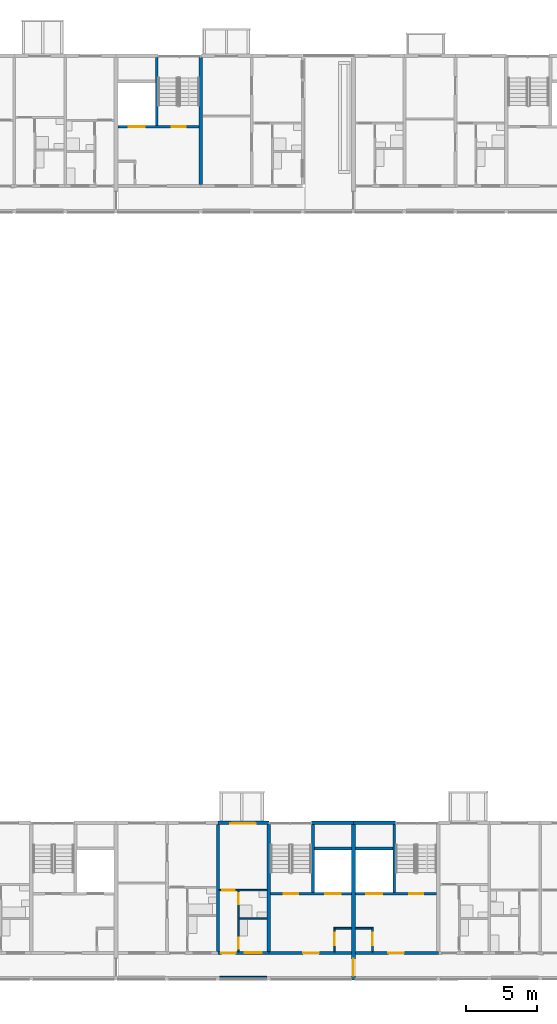
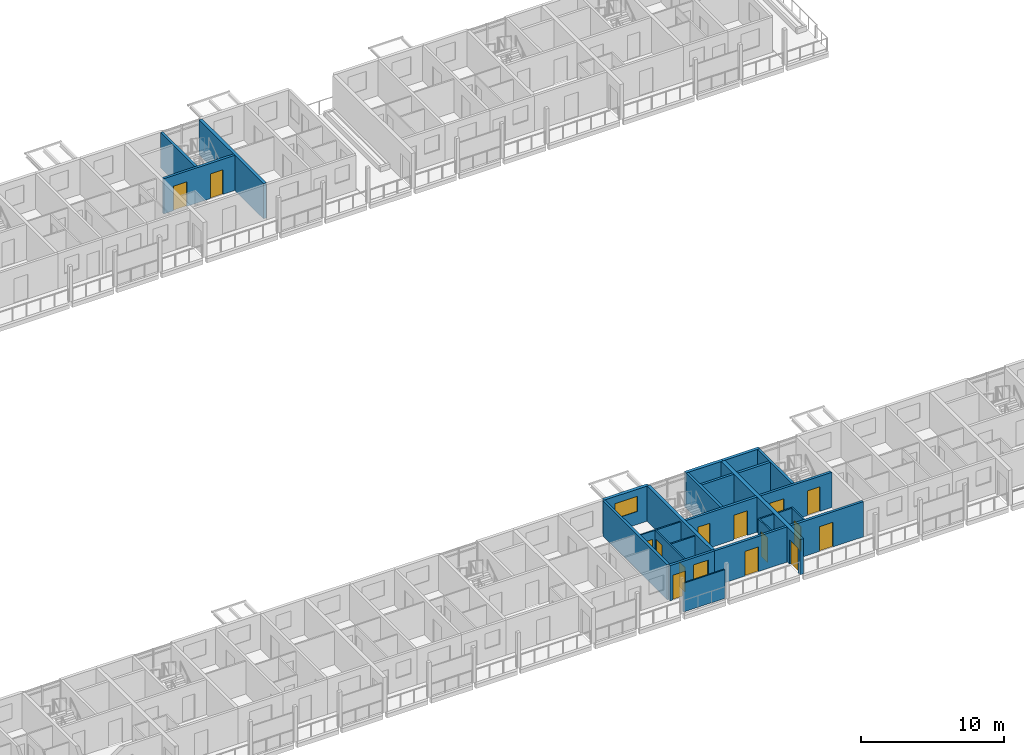
# One storey, part 51 of 94: 26 walls, 15 doors, 2 windows, 17 openings.
"""IFC4 building model written with IfcOpenShell, lengths in metres."""

from ifc_helpers import new_model, si_unit, direction, frame, frame_2d, origin, place, context, subcontext, project, spatial, rectangle, extrude, material, layer, layer_set, type_object, element, fill, save


model = new_model("IFC4")

# Units and contexts
model_context = context("Model", 3, precision=1e-05, world=origin(), true_north=direction((0.0, 1.0)))
body_context = subcontext(model_context, "Body", "Model", "MODEL_VIEW")
ifc_project = project(units=[si_unit("LENGTHUNIT", "METRE"), si_unit("AREAUNIT", "SQUARE_METRE"), si_unit("VOLUMEUNIT", "CUBIC_METRE"), si_unit("PLANEANGLEUNIT", "RADIAN"), si_unit("MASSUNIT", "GRAM", prefix="KILO")], contexts=[model_context])

# Site, building, storey
site_placement = place(None, origin())
site = spatial("IfcSite", under=ifc_project, at=site_placement, CompositionType="ELEMENT")
building_placement = place(site_placement, origin())
building = spatial("IfcBuilding", under=site, at=building_placement, Name="Ridgestep Commons", CompositionType="ELEMENT")
storey_placement = place(building_placement, frame((0.0, 0.0, 21.0)))
storey = spatial("IfcBuildingStorey", under=building, at=storey_placement, Name="L07", CompositionType="ELEMENT", Elevation=21.0)

# Walls
ifc_material_1 = material(Name="Concrete C30/37", Category="concrete")
ifc_layer_1 = layer(ifc_material_1, 0.25)
ifc_layer_set_1 = layer_set([ifc_layer_1], Name="Core cross wall 250")
wall_type_1 = type_object("IfcWallType", Name="Core cross wall 250", PredefinedType="SHEAR", material=ifc_layer_set_1)
for number, where, z_axis, x_axis, name in (
    (1, (203.199951171875, 68.0, 0.0), (0.0, 0.0, 1.0), (0.0, 1.0, 0.0), "Cross wall C-07-2032"),
    (2, (208.0, 13.75, 0.0), (0.0, 0.0, 1.0), (0.0, 1.0, 0.0), "Cross wall D-07-2080"),
):
    element("IfcWall", number, at=place(storey_placement, frame(where, z_axis=z_axis, x_axis=x_axis)), inside=storey, type_object=wall_type_1, Name=name, PredefinedType="SHEAR", context=body_context, shape_type="SweptSolid", body=[
        extrude(rectangle(XDim=9.0, YDim=0.25, at=frame_2d((4.5, 0.0))), origin(), (0.0, 0.0, 1.0), 3.0),
    ])

# Wall, opening, door
ifc_material_2 = material(Name="Concrete C30/37", Category="concrete")
ifc_layer_2 = layer(ifc_material_2, 0.199951171875)
ifc_layer_set_2 = layer_set([ifc_layer_2], Name="Core south wall 200")
wall_type_2 = type_object("IfcWallType", Name="Core south wall 200", PredefinedType="SHEAR", material=ifc_layer_set_2)
wall_1_placement = place(storey_placement, frame((208.0, 13.64990234375, 0.0), z_axis=(0.0, 0.0, 1.0), x_axis=(1.0, 0.0, 0.0)))
wall_1 = element("IfcWall", 3, at=wall_1_placement, inside=storey, type_object=wall_type_2, Name="Core south wall D4C L07", PredefinedType="SHEAR", context=body_context, shape_type="SweptSolid", body=[
    extrude(rectangle(XDim=5.85009765625, YDim=0.199951171875, at=frame_2d((2.925048828125, 0.0))), origin(), (0.0, 0.0, 1.0), 3.0),
])
opening_1_placement = place(wall_1_placement, frame((2.4375, 0.0, 0.0)))
opening_1 = element("IfcOpeningElement", 4, at=opening_1_placement, cuts=wall_1, Name="Opening D4C/07/1", PredefinedType="OPENING", context=body_context, shape_type="SweptSolid", body=[
    extrude(rectangle(XDim=1.10009765625, YDim=2.10009765625, at=frame_2d((0.550048828125, 1.050048828125))), frame((0.0, 0.10986328125, 0.0), z_axis=(0.0, -1.0, 0.0), x_axis=(1.0, 0.0, 0.0)), (0.0, 0.0, 1.0), 0.219970703125),
])
ifc_material_3 = material(Name="Steel fire door", Category="steel")
door_type_1 = type_object("IfcDoorType", Name="Lobby door 1100 x 2100 FD60", OperationType="NOTDEFINED", PredefinedType="DOOR", material=ifc_material_3)
door_1_placement = place(opening_1_placement, origin())
door_1 = element("IfcDoor", 5, at=door_1_placement, inside=storey, type_object=door_type_1, Name="Lobby door D4C/07/1", OperationType="SINGLE_SWING_LEFT", OverallHeight=2.10009765625, OverallWidth=1.10009765625, PredefinedType="DOOR", context=body_context, shape_type="SweptSolid", body=[
    extrude(rectangle(XDim=1.10009765625, YDim=2.10009765625, at=frame_2d((0.550048828125, 1.050048828125))), frame((0.0, 0.02490234375, 0.0), z_axis=(0.0, -1.0, 0.0), x_axis=(1.0, 0.0, 0.0)), (0.0, 0.0, 1.0), 0.050048828125),
])
fill(opening_1, door_1)

wall_2_placement = place(storey_placement, frame((214.14990234375, 13.64990234375, 0.0), z_axis=(0.0, 0.0, 1.0), x_axis=(1.0, 0.0, 0.0)))
wall_2 = element("IfcWall", 6, at=wall_2_placement, inside=storey, type_object=wall_type_2, Name="Core south wall D5C L07", PredefinedType="SHEAR", context=body_context, shape_type="SweptSolid", body=[
    extrude(rectangle(XDim=5.85009765625, YDim=0.199951171875, at=frame_2d((2.925048828125, 0.0))), origin(), (0.0, 0.0, 1.0), 3.0),
])
opening_2_placement = place(wall_2_placement, frame((2.3125, 0.0, 0.0)))
opening_2 = element("IfcOpeningElement", 7, at=opening_2_placement, cuts=wall_2, Name="Opening D5C/07/1", PredefinedType="OPENING", context=body_context, shape_type="SweptSolid", body=[
    extrude(rectangle(XDim=1.10009765625, YDim=2.10009765625, at=frame_2d((0.550048828125, 1.050048828125))), frame((0.0, 0.10986328125, 0.0), z_axis=(0.0, -1.0, 0.0), x_axis=(1.0, 0.0, 0.0)), (0.0, 0.0, 1.0), 0.219970703125),
])
door_2_placement = place(opening_2_placement, origin())
door_2 = element("IfcDoor", 8, at=door_2_placement, inside=storey, type_object=door_type_1, Name="Lobby door D5C/07/1", OperationType="SINGLE_SWING_LEFT", OverallHeight=2.10009765625, OverallWidth=1.10009765625, PredefinedType="DOOR", context=body_context, shape_type="SweptSolid", body=[
    extrude(rectangle(XDim=1.10009765625, YDim=2.10009765625, at=frame_2d((0.550048828125, 1.050048828125))), frame((0.0, 0.02490234375, 0.0), z_axis=(0.0, -1.0, 0.0), x_axis=(1.0, 0.0, 0.0)), (0.0, 0.0, 1.0), 0.050048828125),
])
fill(opening_2, door_2)

ifc_material_4 = material(Name="Concrete C30/37", Category="concrete")
ifc_layer_3 = layer(ifc_material_4, 0.1201171875)
ifc_layer_set_3 = layer_set([ifc_layer_3], Name="Core wall 120")
wall_type_3 = type_object("IfcWallType", Name="Core wall 120", PredefinedType="SHEAR", material=ifc_layer_set_3)
wall_3_placement = place(storey_placement, frame((212.659912109375, 13.75, 0.0), z_axis=(0.0, 0.0, 1.0), x_axis=(0.0, 1.0, 0.0)))
wall_3 = element("IfcWall", 9, at=wall_3_placement, inside=storey, type_object=wall_type_3, Name="Core riser w wall D4C L07", PredefinedType="SHEAR", context=body_context, shape_type="SweptSolid", body=[
    extrude(rectangle(XDim=1.719970703125, YDim=0.1201171875, at=frame_2d((0.85986328125, 0.0))), origin(), (0.0, 0.0, 1.0), 3.0),
])
opening_3_placement = place(wall_3_placement, frame((0.449951171875, 0.0, 0.0)))
opening_3 = element("IfcOpeningElement", 10, at=opening_3_placement, cuts=wall_3, Name="Opening D4C/07/4", PredefinedType="OPENING", context=body_context, shape_type="SweptSolid", body=[
    extrude(rectangle(XDim=0.89990234375, YDim=2.10009765625, at=frame_2d((0.449951171875, 1.050048828125))), frame((0.0, 0.070068359375, 0.0), z_axis=(0.0, -1.0, 0.0), x_axis=(1.0, 0.0, 0.0)), (0.0, 0.0, 1.0), 0.14013671875),
])
ifc_material_5 = material(Name="Steel fire door", Category="steel")
door_type_2 = type_object("IfcDoorType", Name="Riser door 900 x 2100 FD60", OperationType="NOTDEFINED", PredefinedType="DOOR", material=ifc_material_5)
door_3_placement = place(opening_3_placement, origin())
door_3 = element("IfcDoor", 11, at=door_3_placement, inside=storey, type_object=door_type_2, Name="Riser door D4C/07/4", OperationType="SINGLE_SWING_LEFT", OverallHeight=2.10009765625, OverallWidth=0.89990234375, PredefinedType="DOOR", context=body_context, shape_type="SweptSolid", body=[
    extrude(rectangle(XDim=0.89990234375, YDim=2.10009765625, at=frame_2d((0.449951171875, 1.050048828125))), frame((0.0, 0.02490234375, 0.0), z_axis=(0.0, -1.0, 0.0), x_axis=(1.0, 0.0, 0.0)), (0.0, 0.0, 1.0), 0.050048828125),
])
fill(opening_3, door_3)

# Wall
wall_4_placement = place(storey_placement, frame((212.719970703125, 15.409912109375, 0.0), z_axis=(0.0, 0.0, 1.0), x_axis=(1.0, 0.0, 0.0)))
element("IfcWall", 12, at=wall_4_placement, inside=storey, type_object=wall_type_3, Name="Core riser n wall D4C L07", PredefinedType="SHEAR", context=body_context, shape_type="SweptSolid", body=[
    extrude(rectangle(XDim=1.130126953125, YDim=0.1201171875, at=frame_2d((0.56494140625, 0.0))), origin(), (0.0, 0.0, 1.0), 3.0),
])

# Wall, opening, door
wall_5_placement = place(storey_placement, frame((215.340087890625, 13.75, 0.0), z_axis=(0.0, 0.0, 1.0), x_axis=(0.0, 1.0, 0.0)))
wall_5 = element("IfcWall", 13, at=wall_5_placement, inside=storey, type_object=wall_type_3, Name="Core riser w wall D5C L07", PredefinedType="SHEAR", context=body_context, shape_type="SweptSolid", body=[
    extrude(rectangle(XDim=1.719970703125, YDim=0.1201171875, at=frame_2d((0.85986328125, 0.0))), origin(), (0.0, 0.0, 1.0), 3.0),
])
opening_4_placement = place(wall_5_placement, frame((0.449951171875, 0.0, 0.0)))
opening_4 = element("IfcOpeningElement", 14, at=opening_4_placement, cuts=wall_5, Name="Opening D5C/07/4", PredefinedType="OPENING", context=body_context, shape_type="SweptSolid", body=[
    extrude(rectangle(XDim=0.89990234375, YDim=2.10009765625, at=frame_2d((0.449951171875, 1.050048828125))), frame((0.0, 0.070068359375, 0.0), z_axis=(0.0, -1.0, 0.0), x_axis=(1.0, 0.0, 0.0)), (0.0, 0.0, 1.0), 0.14013671875),
])
door_4_placement = place(opening_4_placement, origin())
door_4 = element("IfcDoor", 15, at=door_4_placement, inside=storey, type_object=door_type_2, Name="Riser door D5C/07/4", OperationType="SINGLE_SWING_RIGHT", OverallHeight=2.10009765625, OverallWidth=0.89990234375, PredefinedType="DOOR", context=body_context, shape_type="SweptSolid", body=[
    extrude(rectangle(XDim=0.89990234375, YDim=2.10009765625, at=frame_2d((0.449951171875, 1.050048828125))), frame((0.0, 0.02490234375, 0.0), z_axis=(0.0, -1.0, 0.0), x_axis=(1.0, 0.0, 0.0)), (0.0, 0.0, 1.0), 0.050048828125),
])
fill(opening_4, door_4)

# Wall
wall_6_placement = place(storey_placement, frame((214.14990234375, 15.409912109375, 0.0), z_axis=(0.0, 0.0, 1.0), x_axis=(1.0, 0.0, 0.0)))
element("IfcWall", 16, at=wall_6_placement, inside=storey, type_object=wall_type_3, Name="Core riser n wall D5C L07", PredefinedType="SHEAR", context=body_context, shape_type="SweptSolid", body=[
    extrude(rectangle(XDim=1.130126953125, YDim=0.1201171875, at=frame_2d((0.56494140625, 0.0))), origin(), (0.0, 0.0, 1.0), 3.0),
])

# Wall, openings, doors
ifc_material_6 = material(Name="Concrete C30/37", Category="concrete")
ifc_layer_4 = layer(ifc_material_6, 0.199951171875)
ifc_layer_set_4 = layer_set([ifc_layer_4], Name="Core wall 200")
wall_type_4 = type_object("IfcWallType", Name="Core wall 200", PredefinedType="SHEAR", material=ifc_layer_set_4)
wall_7_placement = place(storey_placement, frame((197.35009765625, 72.10009765625, 0.0), z_axis=(0.0, 0.0, 1.0), x_axis=(1.0, 0.0, 0.0)))
wall_7 = element("IfcWall", 17, at=wall_7_placement, inside=storey, type_object=wall_type_4, Name="Core lobby wall C4C L07", PredefinedType="SHEAR", context=body_context, shape_type="SweptSolid", body=[
    extrude(rectangle(XDim=5.724853515625, YDim=0.199951171875, at=frame_2d((2.8623046875, 0.0))), origin(), (0.0, 0.0, 1.0), 3.0),
])
opening_5_placement = place(wall_7_placement, frame((3.77490234375, 0.0, 0.0)))
opening_5 = element("IfcOpeningElement", 18, at=opening_5_placement, cuts=wall_7, Name="Opening C4C/07/2", PredefinedType="OPENING", context=body_context, shape_type="SweptSolid", body=[
    extrude(rectangle(XDim=1.0, YDim=2.10009765625, at=frame_2d((0.5, 1.050048828125))), frame((0.0, 0.10986328125, 0.0), z_axis=(0.0, -1.0, 0.0), x_axis=(1.0, 0.0, 0.0)), (0.0, 0.0, 1.0), 0.219970703125),
])
opening_6_placement = place(wall_7_placement, frame((0.762451171875, 0.0, 0.0)))
opening_6 = element("IfcOpeningElement", 19, at=opening_6_placement, cuts=wall_7, Name="Opening C4C/07/3", PredefinedType="OPENING", context=body_context, shape_type="SweptSolid", body=[
    extrude(rectangle(XDim=1.10009765625, YDim=2.10009765625, at=frame_2d((0.550048828125, 1.050048828125))), frame((0.0, 0.10986328125, 0.0), z_axis=(0.0, -1.0, 0.0), x_axis=(1.0, 0.0, 0.0)), (0.0, 0.0, 1.0), 0.219970703125),
])
ifc_material_7 = material(Name="Stainless steel", Category="steel")
door_type_3 = type_object("IfcDoorType", Name="Lift landing door 1100 x 2100 FD60", OperationType="DOUBLE_DOOR_SLIDING", PredefinedType="DOOR", material=ifc_material_7)
door_5_placement = place(opening_6_placement, origin())
door_5 = element("IfcDoor", 20, at=door_5_placement, inside=storey, type_object=door_type_3, Name="Landing door LD C4C L07", OperationType="DOUBLE_DOOR_SLIDING", OverallHeight=2.10009765625, OverallWidth=1.10009765625, PredefinedType="DOOR", context=body_context, shape_type="SweptSolid", body=[
    extrude(rectangle(XDim=1.10009765625, YDim=2.10009765625, at=frame_2d((0.550048828125, 1.050048828125))), frame((0.0, 0.02490234375, 0.0), z_axis=(0.0, -1.0, 0.0), x_axis=(1.0, 0.0, 0.0)), (0.0, 0.0, 1.0), 0.050048828125),
])
fill(opening_6, door_5)
ifc_material_8 = material(Name="Steel fire door", Category="steel")
door_type_4 = type_object("IfcDoorType", Name="Stair door 1000 x 2100 FD60", OperationType="NOTDEFINED", PredefinedType="DOOR", material=ifc_material_8)
door_6_placement = place(opening_5_placement, origin())
door_6 = element("IfcDoor", 21, at=door_6_placement, inside=storey, type_object=door_type_4, Name="Stair door C4C/07/2", OperationType="SINGLE_SWING_RIGHT", OverallHeight=2.10009765625, OverallWidth=1.0, PredefinedType="DOOR", context=body_context, shape_type="SweptSolid", body=[
    extrude(rectangle(XDim=1.0, YDim=2.10009765625, at=frame_2d((0.5, 1.050048828125))), frame((0.0, 0.02490234375, 0.0), z_axis=(0.0, -1.0, 0.0), x_axis=(1.0, 0.0, 0.0)), (0.0, 0.0, 1.0), 0.050048828125),
])
fill(opening_5, door_6)

# Wall
wall_8_placement = place(storey_placement, frame((200.074951171875, 72.199951171875, 0.0), z_axis=(0.0, 0.0, 1.0), x_axis=(0.0, 1.0, 0.0)))
element("IfcWall", 22, at=wall_8_placement, inside=storey, type_object=wall_type_4, Name="Core stair wall C4C L07", PredefinedType="SHEAR", context=body_context, shape_type="SweptSolid", body=[
    extrude(rectangle(XDim=4.800048828125, YDim=0.199951171875, at=frame_2d((2.39990234375, 0.0))), origin(), (0.0, 0.0, 1.0), 3.0),
])

# Wall, openings, doors
wall_9_placement = place(storey_placement, frame((208.125, 17.85009765625, 0.0), z_axis=(0.0, 0.0, 1.0), x_axis=(1.0, 0.0, 0.0)))
wall_9 = element("IfcWall", 23, at=wall_9_placement, inside=storey, type_object=wall_type_4, Name="Core lobby wall D4C L07", PredefinedType="SHEAR", context=body_context, shape_type="SweptSolid", body=[
    extrude(rectangle(XDim=5.72509765625, YDim=0.199951171875, at=frame_2d((2.862548828125, 0.0))), origin(), (0.0, 0.0, 1.0), 3.0),
])
opening_7_placement = place(wall_9_placement, frame((0.949951171875, 0.0, 0.0)))
opening_7 = element("IfcOpeningElement", 24, at=opening_7_placement, cuts=wall_9, Name="Opening D4C/07/2", PredefinedType="OPENING", context=body_context, shape_type="SweptSolid", body=[
    extrude(rectangle(XDim=1.0, YDim=2.10009765625, at=frame_2d((0.5, 1.050048828125))), frame((0.0, 0.10986328125, 0.0), z_axis=(0.0, -1.0, 0.0), x_axis=(1.0, 0.0, 0.0)), (0.0, 0.0, 1.0), 0.219970703125),
])
opening_8_placement = place(wall_9_placement, frame((3.862548828125, 0.0, 0.0)))
opening_8 = element("IfcOpeningElement", 25, at=opening_8_placement, cuts=wall_9, Name="Opening D4C/07/3", PredefinedType="OPENING", context=body_context, shape_type="SweptSolid", body=[
    extrude(rectangle(XDim=1.10009765625, YDim=2.10009765625, at=frame_2d((0.550048828125, 1.050048828125))), frame((0.0, 0.10986328125, 0.0), z_axis=(0.0, -1.0, 0.0), x_axis=(1.0, 0.0, 0.0)), (0.0, 0.0, 1.0), 0.219970703125),
])
door_7_placement = place(opening_8_placement, origin())
door_7 = element("IfcDoor", 26, at=door_7_placement, inside=storey, type_object=door_type_3, Name="Landing door LD D4C L07", OperationType="DOUBLE_DOOR_SLIDING", OverallHeight=2.10009765625, OverallWidth=1.10009765625, PredefinedType="DOOR", context=body_context, shape_type="SweptSolid", body=[
    extrude(rectangle(XDim=1.10009765625, YDim=2.10009765625, at=frame_2d((0.550048828125, 1.050048828125))), frame((0.0, 0.02490234375, 0.0), z_axis=(0.0, -1.0, 0.0), x_axis=(1.0, 0.0, 0.0)), (0.0, 0.0, 1.0), 0.050048828125),
])
fill(opening_8, door_7)
door_8_placement = place(opening_7_placement, origin())
door_8 = element("IfcDoor", 27, at=door_8_placement, inside=storey, type_object=door_type_4, Name="Stair door D4C/07/2", OperationType="SINGLE_SWING_RIGHT", OverallHeight=2.10009765625, OverallWidth=1.0, PredefinedType="DOOR", context=body_context, shape_type="SweptSolid", body=[
    extrude(rectangle(XDim=1.0, YDim=2.10009765625, at=frame_2d((0.5, 1.050048828125))), frame((0.0, 0.02490234375, 0.0), z_axis=(0.0, -1.0, 0.0), x_axis=(1.0, 0.0, 0.0)), (0.0, 0.0, 1.0), 0.050048828125),
])
fill(opening_7, door_8)

# Walls
wall_10_placement = place(storey_placement, frame((211.125, 17.949951171875, 0.0), z_axis=(0.0, 0.0, 1.0), x_axis=(0.0, 1.0, 0.0)))
element("IfcWall", 28, at=wall_10_placement, inside=storey, type_object=wall_type_4, Name="Core stair wall D4C L07", PredefinedType="SHEAR", context=body_context, shape_type="SweptSolid", body=[
    extrude(rectangle(XDim=4.800048828125, YDim=0.199951171875, at=frame_2d((2.39990234375, 0.0))), origin(), (0.0, 0.0, 1.0), 3.0),
])
wall_11_placement = place(storey_placement, frame((211.22509765625, 21.050048828125, 0.0), z_axis=(0.0, 0.0, 1.0), x_axis=(1.0, 0.0, 0.0)))
element("IfcWall", 29, at=wall_11_placement, inside=storey, type_object=wall_type_4, Name="Core duct wall D4C L07", PredefinedType="SHEAR", context=body_context, shape_type="SweptSolid", body=[
    extrude(rectangle(XDim=2.625, YDim=0.199951171875, at=frame_2d((1.3125, 0.0))), origin(), (0.0, 0.0, 1.0), 3.0),
])

# Wall, openings, doors
wall_12_placement = place(storey_placement, frame((214.14990234375, 17.85009765625, 0.0), z_axis=(0.0, 0.0, 1.0), x_axis=(1.0, 0.0, 0.0)))
wall_12 = element("IfcWall", 30, at=wall_12_placement, inside=storey, type_object=wall_type_4, Name="Core lobby wall D5C L07", PredefinedType="SHEAR", context=body_context, shape_type="SweptSolid", body=[
    extrude(rectangle(XDim=5.72509765625, YDim=0.199951171875, at=frame_2d((2.862548828125, 0.0))), origin(), (0.0, 0.0, 1.0), 3.0),
])
opening_9_placement = place(wall_12_placement, frame((3.77490234375, 0.0, 0.0)))
opening_9 = element("IfcOpeningElement", 31, at=opening_9_placement, cuts=wall_12, Name="Opening D5C/07/2", PredefinedType="OPENING", context=body_context, shape_type="SweptSolid", body=[
    extrude(rectangle(XDim=1.0, YDim=2.10009765625, at=frame_2d((0.5, 1.050048828125))), frame((0.0, 0.10986328125, 0.0), z_axis=(0.0, -1.0, 0.0), x_axis=(1.0, 0.0, 0.0)), (0.0, 0.0, 1.0), 0.219970703125),
])
opening_10_placement = place(wall_12_placement, frame((0.762451171875, 0.0, 0.0)))
opening_10 = element("IfcOpeningElement", 32, at=opening_10_placement, cuts=wall_12, Name="Opening D5C/07/3", PredefinedType="OPENING", context=body_context, shape_type="SweptSolid", body=[
    extrude(rectangle(XDim=1.10009765625, YDim=2.10009765625, at=frame_2d((0.550048828125, 1.050048828125))), frame((0.0, 0.10986328125, 0.0), z_axis=(0.0, -1.0, 0.0), x_axis=(1.0, 0.0, 0.0)), (0.0, 0.0, 1.0), 0.219970703125),
])
door_9_placement = place(opening_10_placement, origin())
door_9 = element("IfcDoor", 33, at=door_9_placement, inside=storey, type_object=door_type_3, Name="Landing door LD D5C L07", OperationType="DOUBLE_DOOR_SLIDING", OverallHeight=2.10009765625, OverallWidth=1.10009765625, PredefinedType="DOOR", context=body_context, shape_type="SweptSolid", body=[
    extrude(rectangle(XDim=1.10009765625, YDim=2.10009765625, at=frame_2d((0.550048828125, 1.050048828125))), frame((0.0, 0.02490234375, 0.0), z_axis=(0.0, -1.0, 0.0), x_axis=(1.0, 0.0, 0.0)), (0.0, 0.0, 1.0), 0.050048828125),
])
fill(opening_10, door_9)
door_10_placement = place(opening_9_placement, origin())
door_10 = element("IfcDoor", 34, at=door_10_placement, inside=storey, type_object=door_type_4, Name="Stair door D5C/07/2", OperationType="SINGLE_SWING_RIGHT", OverallHeight=2.10009765625, OverallWidth=1.0, PredefinedType="DOOR", context=body_context, shape_type="SweptSolid", body=[
    extrude(rectangle(XDim=1.0, YDim=2.10009765625, at=frame_2d((0.5, 1.050048828125))), frame((0.0, 0.02490234375, 0.0), z_axis=(0.0, -1.0, 0.0), x_axis=(1.0, 0.0, 0.0)), (0.0, 0.0, 1.0), 0.050048828125),
])
fill(opening_9, door_10)

# Walls
wall_13_placement = place(storey_placement, frame((216.875, 17.949951171875, 0.0), z_axis=(0.0, 0.0, 1.0), x_axis=(0.0, 1.0, 0.0)))
element("IfcWall", 35, at=wall_13_placement, inside=storey, type_object=wall_type_4, Name="Core stair wall D5C L07", PredefinedType="SHEAR", context=body_context, shape_type="SweptSolid", body=[
    extrude(rectangle(XDim=4.800048828125, YDim=0.199951171875, at=frame_2d((2.39990234375, 0.0))), origin(), (0.0, 0.0, 1.0), 3.0),
])
wall_14_placement = place(storey_placement, frame((214.14990234375, 21.050048828125, 0.0), z_axis=(0.0, 0.0, 1.0), x_axis=(1.0, 0.0, 0.0)))
element("IfcWall", 36, at=wall_14_placement, inside=storey, type_object=wall_type_4, Name="Core duct wall D5C L07", PredefinedType="SHEAR", context=body_context, shape_type="SweptSolid", body=[
    extrude(rectangle(XDim=2.625, YDim=0.199951171875, at=frame_2d((1.3125, 0.0))), origin(), (0.0, 0.0, 1.0), 3.0),
])
ifc_material_9 = material(Name="Precast concrete C40/50", Category="concrete")
ifc_layer_5 = layer(ifc_material_9, 0.199951171875)
ifc_layer_set_5 = layer_set([ifc_layer_5], Name="Cross wall 200")
wall_type_5 = type_object("IfcWallType", Name="Cross wall 200", PredefinedType="SHEAR", material=ifc_layer_set_5)
wall_15_placement = place(storey_placement, frame((204.39990234375, 13.75, 0.0), z_axis=(0.0, 0.0, 1.0), x_axis=(0.0, 1.0, 0.0)))
element("IfcWall", 37, at=wall_15_placement, inside=storey, type_object=wall_type_5, Name="Cross wall D-07-2044", PredefinedType="SHEAR", context=body_context, shape_type="SweptSolid", body=[
    extrude(rectangle(XDim=9.0, YDim=0.199951171875, at=frame_2d((4.5, 0.0))), origin(), (0.0, 0.0, 1.0), 3.0),
])

# Wall, opening, door
ifc_material_10 = material(Name="Precast concrete C40/50", Category="concrete")
ifc_layer_6 = layer(ifc_material_10, 0.300048828125)
ifc_layer_set_6 = layer_set([ifc_layer_6], Name="Division wall 300")
wall_type_6 = type_object("IfcWallType", Name="Division wall 300", PredefinedType="SHEAR", material=ifc_layer_set_6)
wall_16_placement = place(storey_placement, frame((214.0, 11.75, 0.0), z_axis=(0.0, 0.0, 1.0), x_axis=(0.0, 1.0, 0.0)))
wall_16 = element("IfcWall", 38, at=wall_16_placement, inside=storey, type_object=wall_type_6, Name="Cross wall D-07-2140", PredefinedType="SHEAR", context=body_context, shape_type="SweptSolid", body=[
    extrude(rectangle(XDim=11.0, YDim=0.300048828125, at=frame_2d((5.5, 0.0))), origin(), (0.0, 0.0, 1.0), 3.0),
])
opening_11_placement = place(wall_16_placement, frame((0.300048828125, 0.0, 0.0)))
opening_11 = element("IfcOpeningElement", 39, at=opening_11_placement, cuts=wall_16, Name="Opening D/07/G2140", PredefinedType="OPENING", context=body_context, shape_type="SweptSolid", body=[
    extrude(rectangle(XDim=1.199951171875, YDim=2.10009765625, at=frame_2d((0.60009765625, 1.050048828125))), frame((0.0, 0.159912109375, 0.0), z_axis=(0.0, -1.0, 0.0), x_axis=(1.0, 0.0, 0.0)), (0.0, 0.0, 1.0), 0.320068359375),
])
ifc_material_11 = material(Name="Steel fire door", Category="steel")
door_type_5 = type_object("IfcDoorType", Name="Division fire door 1200 x 2100 EI 240", OperationType="DOUBLE_DOOR_SINGLE_SWING", PredefinedType="DOOR", material=ifc_material_11)
door_11_placement = place(opening_11_placement, origin())
door_11 = element("IfcDoor", 40, at=door_11_placement, inside=storey, type_object=door_type_5, Name="Division fire door D/07/G2140", OperationType="DOUBLE_DOOR_SINGLE_SWING", OverallHeight=2.10009765625, OverallWidth=1.199951171875, PredefinedType="DOOR", context=body_context, shape_type="SweptSolid", body=[
    extrude(rectangle(XDim=1.199951171875, YDim=2.10009765625, at=frame_2d((0.60009765625, 1.050048828125))), frame((0.0, 0.02490234375, 0.0), z_axis=(0.0, -1.0, 0.0), x_axis=(1.0, 0.0, 0.0)), (0.0, 0.0, 1.0), 0.050048828125),
])
fill(opening_11, door_11)

# Wall, opening, window
ifc_material_12 = material(Name="Precast concrete C40/50", Category="concrete")
ifc_layer_7 = layer(ifc_material_12, 0.25)
ifc_layer_set_7 = layer_set([ifc_layer_7], Name="North facade panel 250")
wall_type_7 = type_object("IfcWallType", Name="North facade panel 250", PredefinedType="SOLIDWALL", material=ifc_layer_set_7)
wall_17_placement = place(storey_placement, frame((204.39990234375, 22.875, 0.0), z_axis=(0.0, 0.0, 1.0), x_axis=(1.0, 0.0, 0.0)))
wall_17 = element("IfcWall", 41, at=wall_17_placement, inside=storey, type_object=wall_type_7, Name="North panel D4T3 L07", PredefinedType="SOLIDWALL", context=body_context, shape_type="SweptSolid", body=[
    extrude(rectangle(XDim=3.60009765625, YDim=0.25, at=frame_2d((1.800048828125, 0.0))), origin(), (0.0, 0.0, 1.0), 3.0),
])
opening_12_placement = place(wall_17_placement, frame((0.887451171875, 0.0, 1.10009765625)))
opening_12 = element("IfcOpeningElement", 42, at=opening_12_placement, cuts=wall_17, Name="Opening W18", PredefinedType="OPENING", context=body_context, shape_type="SweptSolid", body=[
    extrude(rectangle(XDim=1.800048828125, YDim=1.300048828125, at=frame_2d((0.89990234375, 0.64990234375))), frame((0.0, 0.135009765625, 0.0), z_axis=(0.0, -1.0, 0.0), x_axis=(1.0, 0.0, 0.0)), (0.0, 0.0, 1.0), 0.27001953125),
])
ifc_material_13 = material(Name="Aluminium 6063-T6 and glass", Category="aluminium")
window_type_1 = type_object("IfcWindowType", Name="Flat window 1800 x 1300", PartitioningType="DOUBLE_PANEL_VERTICAL", PredefinedType="WINDOW", material=ifc_material_13)
window_1_placement = place(opening_12_placement, origin())
window_1 = element("IfcWindow", 43, at=window_1_placement, inside=storey, type_object=window_type_1, Name="Window D4-07b 2", OverallHeight=1.300048828125, OverallWidth=1.800048828125, PartitioningType="SINGLE_PANEL", PredefinedType="WINDOW", context=body_context, shape_type="SweptSolid", body=[
    extrude(rectangle(XDim=1.800048828125, YDim=1.300048828125, at=frame_2d((0.89990234375, 0.64990234375))), frame((0.0, -0.02490234375, 0.0), z_axis=(0.0, -1.0, 0.0), x_axis=(1.0, 0.0, 0.0)), (0.0, 0.0, 1.0), 0.06005859375),
])
fill(opening_12, window_1)

# Walls
for number, where, z_axis, x_axis, name in (
    (44, (211.02490234375, 22.875, 0.0), (0.0, 0.0, 1.0), (1.0, 0.0, 0.0), "North panel D4C L07"),
    (45, (214.0, 22.875, 0.0), (0.0, 0.0, 1.0), (1.0, 0.0, 0.0), "North panel D5C L07"),
):
    element("IfcWall", number, at=place(storey_placement, frame(where, z_axis=z_axis, x_axis=x_axis)), inside=storey, type_object=wall_type_7, Name=name, PredefinedType="SOLIDWALL", context=body_context, shape_type="SweptSolid", body=[
        extrude(rectangle(XDim=2.97509765625, YDim=0.25, at=frame_2d((1.487548828125, 0.0))), origin(), (0.0, 0.0, 1.0), 3.0),
    ])

# Wall, openings, doors
ifc_material_14 = material(Name="Common brick 110 mm", Category="masonry")
ifc_layer_8 = layer(ifc_material_14, 0.110107421875)
ifc_layer_set_8 = layer_set([ifc_layer_8], Name="Partition 110")
wall_type_8 = type_object("IfcWallType", Name="Partition 110", PredefinedType="PARTITIONING", material=ifc_layer_set_8)
wall_18_placement = place(storey_placement, frame((205.85498046875, 13.75, 0.0), z_axis=(0.0, 0.0, 1.0), x_axis=(0.0, 1.0, 0.0)))
wall_18 = element("IfcWall", 46, at=wall_18_placement, inside=storey, type_object=wall_type_8, Name="Partition D4-07b", PredefinedType="PARTITIONING", context=body_context, shape_type="SweptSolid", body=[
    extrude(rectangle(XDim=4.300048828125, YDim=0.110107421875, at=frame_2d((2.14990234375, 0.0))), origin(), (0.0, 0.0, 1.0), 2.800048828125),
])
opening_13_placement = place(wall_18_placement, frame((0.199951171875, 0.0, 0.0)))
opening_13 = element("IfcOpeningElement", 47, at=opening_13_placement, cuts=wall_18, Name="Opening D4-07b/2", PredefinedType="OPENING", context=body_context, shape_type="SweptSolid", body=[
    extrude(rectangle(XDim=0.800048828125, YDim=2.10009765625, at=frame_2d((0.39990234375, 1.050048828125))), frame((0.0, 0.06494140625, 0.0), z_axis=(0.0, -1.0, 0.0), x_axis=(1.0, 0.0, 0.0)), (0.0, 0.0, 1.0), 0.130126953125),
])
opening_14_placement = place(wall_18_placement, frame((3.35009765625, 0.0, 0.0)))
opening_14 = element("IfcOpeningElement", 48, at=opening_14_placement, cuts=wall_18, Name="Opening D4-07b/3", PredefinedType="OPENING", context=body_context, shape_type="SweptSolid", body=[
    extrude(rectangle(XDim=0.800048828125, YDim=2.10009765625, at=frame_2d((0.39990234375, 1.050048828125))), frame((0.0, 0.06494140625, 0.0), z_axis=(0.0, -1.0, 0.0), x_axis=(1.0, 0.0, 0.0)), (0.0, 0.0, 1.0), 0.130126953125),
])
ifc_material_15 = material(Name="Timber door leaf", Category="wood")
door_type_6 = type_object("IfcDoorType", Name="Internal door 800 x 2100", OperationType="NOTDEFINED", PredefinedType="DOOR", material=ifc_material_15)
door_12_placement = place(opening_13_placement, origin())
door_12 = element("IfcDoor", 49, at=door_12_placement, inside=storey, type_object=door_type_6, Name="Internal door D4-07b/2", OperationType="SINGLE_SWING_RIGHT", OverallHeight=2.10009765625, OverallWidth=0.800048828125, PredefinedType="DOOR", context=body_context, shape_type="SweptSolid", body=[
    extrude(rectangle(XDim=0.800048828125, YDim=2.10009765625, at=frame_2d((0.39990234375, 1.050048828125))), frame((0.0, 0.02490234375, 0.0), z_axis=(0.0, -1.0, 0.0), x_axis=(1.0, 0.0, 0.0)), (0.0, 0.0, 1.0), 0.050048828125),
])
fill(opening_13, door_12)
door_13_placement = place(opening_14_placement, origin())
door_13 = element("IfcDoor", 50, at=door_13_placement, inside=storey, type_object=door_type_6, Name="Internal door D4-07b/3", OperationType="SINGLE_SWING_LEFT", OverallHeight=2.10009765625, OverallWidth=0.800048828125, PredefinedType="DOOR", context=body_context, shape_type="SweptSolid", body=[
    extrude(rectangle(XDim=0.800048828125, YDim=2.10009765625, at=frame_2d((0.39990234375, 1.050048828125))), frame((0.0, 0.02490234375, 0.0), z_axis=(0.0, -1.0, 0.0), x_axis=(1.0, 0.0, 0.0)), (0.0, 0.0, 1.0), 0.050048828125),
])
fill(opening_14, door_13)

# Wall
wall_19_placement = place(storey_placement, frame((205.909912109375, 16.10498046875, 0.0), z_axis=(0.0, 0.0, 1.0), x_axis=(1.0, 0.0, 0.0)))
element("IfcWall", 51, at=wall_19_placement, inside=storey, type_object=wall_type_8, Name="Partition D4-07b", PredefinedType="PARTITIONING", context=body_context, shape_type="SweptSolid", body=[
    extrude(rectangle(XDim=1.965087890625, YDim=0.110107421875, at=frame_2d((0.982421875, 0.0))), origin(), (0.0, 0.0, 1.0), 2.800048828125),
])

# Wall, opening, door
wall_20_placement = place(storey_placement, frame((204.5, 18.10498046875, 0.0), z_axis=(0.0, 0.0, 1.0), x_axis=(1.0, 0.0, 0.0)))
wall_20 = element("IfcWall", 52, at=wall_20_placement, inside=storey, type_object=wall_type_8, Name="Partition D4-07b", PredefinedType="PARTITIONING", context=body_context, shape_type="SweptSolid", body=[
    extrude(rectangle(XDim=3.375, YDim=0.110107421875, at=frame_2d((1.6875, 0.0))), origin(), (0.0, 0.0, 1.0), 2.800048828125),
])
opening_15_placement = place(wall_20_placement, frame((0.199951171875, 0.0, 0.0)))
opening_15 = element("IfcOpeningElement", 53, at=opening_15_placement, cuts=wall_20, Name="Opening D4-07b/4", PredefinedType="OPENING", context=body_context, shape_type="SweptSolid", body=[
    extrude(rectangle(XDim=0.89990234375, YDim=2.10009765625, at=frame_2d((0.449951171875, 1.050048828125))), frame((0.0, 0.06494140625, 0.0), z_axis=(0.0, -1.0, 0.0), x_axis=(1.0, 0.0, 0.0)), (0.0, 0.0, 1.0), 0.130126953125),
])
ifc_material_16 = material(Name="Timber door leaf", Category="wood")
door_type_7 = type_object("IfcDoorType", Name="Internal door 900 x 2100", OperationType="NOTDEFINED", PredefinedType="DOOR", material=ifc_material_16)
door_14_placement = place(opening_15_placement, origin())
door_14 = element("IfcDoor", 54, at=door_14_placement, inside=storey, type_object=door_type_7, Name="Internal door D4-07b/4", OperationType="SINGLE_SWING_LEFT", OverallHeight=2.10009765625, OverallWidth=0.89990234375, PredefinedType="DOOR", context=body_context, shape_type="SweptSolid", body=[
    extrude(rectangle(XDim=0.89990234375, YDim=2.10009765625, at=frame_2d((0.449951171875, 1.050048828125))), frame((0.0, 0.02490234375, 0.0), z_axis=(0.0, -1.0, 0.0), x_axis=(1.0, 0.0, 0.0)), (0.0, 0.0, 1.0), 0.050048828125),
])
fill(opening_15, door_14)

# Wall
ifc_material_17 = material(Name="Precast concrete C30/37", Category="concrete")
ifc_layer_9 = layer(ifc_material_17, 0.10009765625)
ifc_layer_set_9 = layer_set([ifc_layer_9], Name="Perforated gallery screen 3350 x 2450 x 100")
wall_type_9 = type_object("IfcWallType", Name="Perforated gallery screen 3350 x 2450 x 100", PredefinedType="SOLIDWALL", material=ifc_layer_set_9)
wall_21_placement = place(storey_placement, frame((204.52490234375, 11.949951171875, 0.0), z_axis=(0.0, 0.0, 1.0), x_axis=(1.0, 0.0, 0.0)))
element("IfcWall", 55, at=wall_21_placement, inside=storey, type_object=wall_type_9, Name="Gallery screen D4T3 07", PredefinedType="SOLIDWALL", context=body_context, shape_type="SweptSolid", body=[
    extrude(rectangle(XDim=3.35009765625, YDim=0.10009765625, at=frame_2d((1.675048828125, 0.0))), origin(), (0.0, 0.0, 1.0), 2.449951171875),
])

# Wall, openings, door, window
ifc_material_18 = material(Name="Precast concrete C40/50", Category="concrete")
ifc_layer_10 = layer(ifc_material_18, 0.199951171875)
ifc_layer_set_10 = layer_set([ifc_layer_10], Name="South facade panel 200")
wall_type_10 = type_object("IfcWallType", Name="South facade panel 200", PredefinedType="SOLIDWALL", material=ifc_layer_set_10)
wall_22_placement = place(storey_placement, frame((204.39990234375, 13.64990234375, 0.0), z_axis=(0.0, 0.0, 1.0), x_axis=(1.0, 0.0, 0.0)))
wall_22 = element("IfcWall", 56, at=wall_22_placement, inside=storey, type_object=wall_type_10, Name="South panel D4T3 L07", PredefinedType="SOLIDWALL", context=body_context, shape_type="SweptSolid", body=[
    extrude(rectangle(XDim=3.60009765625, YDim=0.199951171875, at=frame_2d((1.800048828125, 0.0))), origin(), (0.0, 0.0, 1.0), 3.0),
])
opening_16_placement = place(wall_22_placement, frame((1.892578125, 0.0, 1.10009765625)))
opening_16 = element("IfcOpeningElement", 57, at=opening_16_placement, cuts=wall_22, Name="Opening W08", PredefinedType="OPENING", context=body_context, shape_type="SweptSolid", body=[
    extrude(rectangle(XDim=1.199951171875, YDim=1.300048828125, at=frame_2d((0.60009765625, 0.64990234375))), frame((0.0, 0.10986328125, 0.0), z_axis=(0.0, -1.0, 0.0), x_axis=(1.0, 0.0, 0.0)), (0.0, 0.0, 1.0), 0.219970703125),
])
opening_17_placement = place(wall_22_placement, frame((0.25, 0.0, 0.0)))
opening_17 = element("IfcOpeningElement", 58, at=opening_17_placement, cuts=wall_22, Name="Opening D4-07b/1", PredefinedType="OPENING", context=body_context, shape_type="SweptSolid", body=[
    extrude(rectangle(XDim=1.0, YDim=2.10009765625, at=frame_2d((0.5, 1.050048828125))), frame((0.0, 0.10986328125, 0.0), z_axis=(0.0, -1.0, 0.0), x_axis=(1.0, 0.0, 0.0)), (0.0, 0.0, 1.0), 0.219970703125),
])
ifc_material_19 = material(Name="Timber door leaf", Category="wood")
door_type_8 = type_object("IfcDoorType", Name="Flat entrance door 1000 x 2100 FD30S", OperationType="NOTDEFINED", PredefinedType="DOOR", material=ifc_material_19)
door_15_placement = place(opening_17_placement, origin())
door_15 = element("IfcDoor", 59, at=door_15_placement, inside=storey, type_object=door_type_8, Name="Flat entrance door D4-07b/1", OperationType="SINGLE_SWING_LEFT", OverallHeight=2.10009765625, OverallWidth=1.0, PredefinedType="DOOR", context=body_context, shape_type="SweptSolid", body=[
    extrude(rectangle(XDim=1.0, YDim=2.10009765625, at=frame_2d((0.5, 1.050048828125))), frame((0.0, 0.02490234375, 0.0), z_axis=(0.0, -1.0, 0.0), x_axis=(1.0, 0.0, 0.0)), (0.0, 0.0, 1.0), 0.050048828125),
])
fill(opening_17, door_15)
ifc_material_20 = material(Name="Aluminium 6063-T6 and glass", Category="aluminium")
window_type_2 = type_object("IfcWindowType", Name="Flat window 1200 x 1300", PartitioningType="SINGLE_PANEL", PredefinedType="WINDOW", material=ifc_material_20)
window_2_placement = place(opening_16_placement, origin())
window_2 = element("IfcWindow", 60, at=window_2_placement, inside=storey, type_object=window_type_2, Name="Window D4-07b 1", OverallHeight=1.300048828125, OverallWidth=1.199951171875, PartitioningType="SINGLE_PANEL", PredefinedType="WINDOW", context=body_context, shape_type="SweptSolid", body=[
    extrude(rectangle(XDim=1.199951171875, YDim=1.300048828125, at=frame_2d((0.60009765625, 0.64990234375))), frame((0.0, 0.06005859375, 0.0), z_axis=(0.0, -1.0, 0.0), x_axis=(1.0, 0.0, 0.0)), (0.0, 0.0, 1.0), 0.06005859375),
])
fill(opening_16, window_2)

save(model, "model.ifc")
